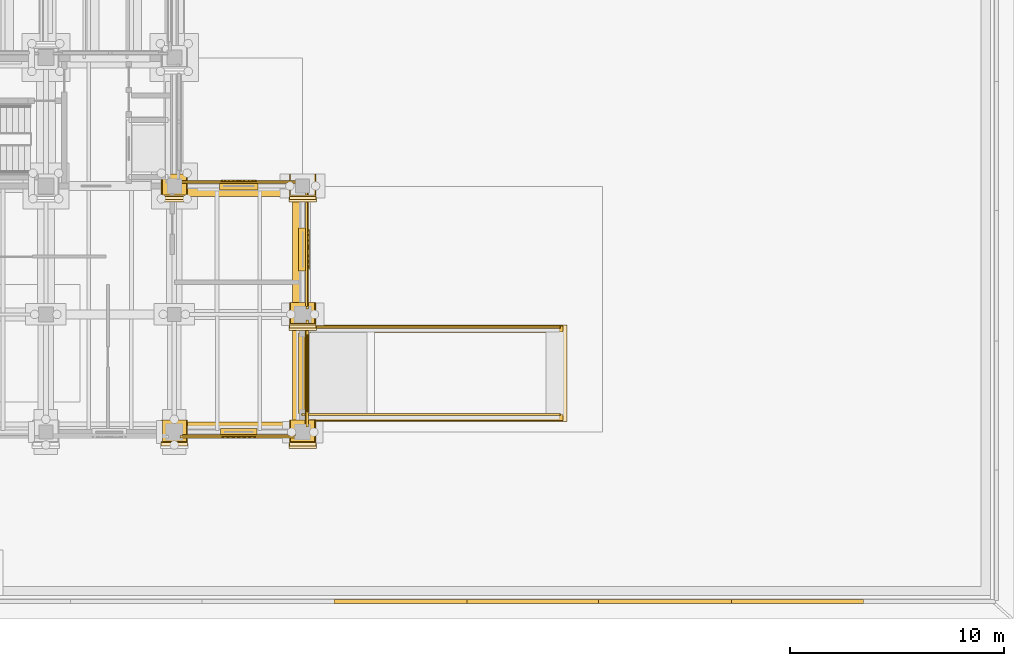
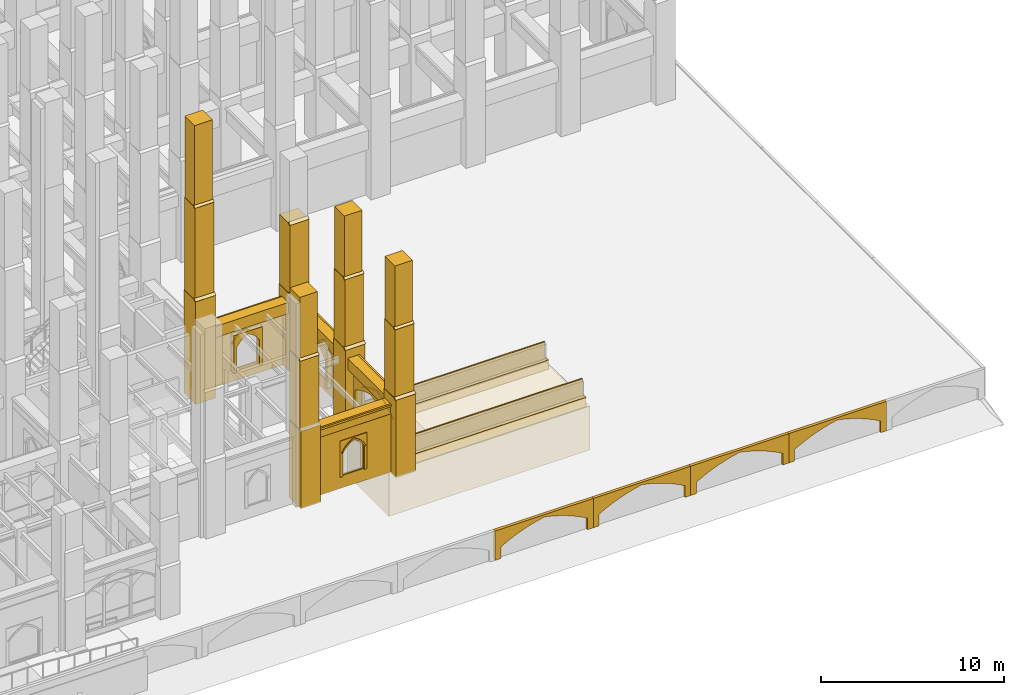
# One storey, part 124 of 135: 52 coverings.
"""IFC4 building model written with IfcOpenShell, lengths in metres."""

import ifcopenshell
import ifcopenshell.guid

model = None  # the IFC model being written
_history = None  # IfcOwnerHistory: only IFC2X3 demands one
_inside = {}  # id of a spatial element -> (the spatial element, [elements in it])
_under = {}  # id of a project, library or spatial element -> (it, [spatial elements below it])
_declared = {}  # id of a project -> (the project, [libraries it declares])
_typed = {}  # id of a type object -> (the type object, [elements of that type])
_made_of = {}  # id of a material, layer set ... -> (it, [elements and type objects made of it])


def new_model(schema):
    """Start an empty IFC model of exactly this schema.

    Asked for "IFC4X3", IfcOpenShell would pick the latest addendum, in which some entities
    have other attributes; the version numbers below select the first issue.
    IFC2X3 requires an IfcOwnerHistory on every rooted entity: one is made here for all.
    """
    global model, _history
    if schema == "IFC4X3":
        model = ifcopenshell.file(schema_version=(4, 3, 0, 0))
    else:
        model = ifcopenshell.file(schema=schema)
    _inside.clear()
    _under.clear()
    _declared.clear()
    _typed.clear()
    _made_of.clear()
    _history = None
    if model.schema == "IFC2X3":
        org = make("IfcOrganization", Name="unknown")
        user = make(
            "IfcPersonAndOrganization",
            ThePerson=make("IfcPerson", FamilyName="unknown"),
            TheOrganization=org,
        )
        app = make(
            "IfcApplication",
            ApplicationDeveloper=org,
            Version="unknown",
            ApplicationFullName="unknown",
            ApplicationIdentifier="unknown",
        )
        _history = make(
            "IfcOwnerHistory",
            OwningUser=user,
            OwningApplication=app,
            ChangeAction="ADDED",
            CreationDate=0,
        )
    return model


def make(cls, **values):
    """One entity of the class cls with the attributes given. An attribute that is None is left unset."""
    return model.create_entity(
        cls, **{name: value for name, value in values.items() if value is not None}
    )


def rooted(cls, **values):
    """An entity with a GlobalId (a new one), such as an element, a storey or a relation."""
    return make(cls, GlobalId=ifcopenshell.guid.new(), OwnerHistory=_history, **values)


def si_unit(unit_type, name, prefix=None):
    """IfcSIUnit, for example si_unit("LENGTHUNIT", "METRE", prefix="MILLI")."""
    return make("IfcSIUnit", UnitType=unit_type, Prefix=prefix, Name=name)


def assignment(units):
    """IfcUnitAssignment: the units of a project."""
    return None if units is None else make("IfcUnitAssignment", Units=units)


def point(xyz):
    """IfcCartesianPoint."""
    return None if xyz is None else make("IfcCartesianPoint", Coordinates=xyz)


def direction(xyz):
    """IfcDirection."""
    return None if xyz is None else make("IfcDirection", DirectionRatios=xyz)


def frame(location, z_axis=None, x_axis=None):
    """IfcAxis2Placement3D, a coordinate frame: its origin and axes. An axis left out is left unset."""
    return make(
        "IfcAxis2Placement3D",
        Location=point(location),
        Axis=direction(z_axis),
        RefDirection=direction(x_axis),
    )


def frame_2d(location, x_axis=None):
    """IfcAxis2Placement2D, a coordinate frame in the plane: its origin and x axis."""
    return make(
        "IfcAxis2Placement2D", Location=point(location), RefDirection=direction(x_axis)
    )


def origin():
    """The frame at (0, 0, 0) with its axes left unset."""
    return frame((0.0, 0.0, 0.0))


def origin_2d():
    """The frame at (0, 0) in the plane with its x axis left unset."""
    return frame_2d((0.0, 0.0))


def place(relative_to, where):
    """IfcLocalPlacement: puts the frame where relative to a parent placement (None: the world)."""
    return make(
        "IfcLocalPlacement", PlacementRelTo=relative_to, RelativePlacement=where
    )


def context(
    kind, dimensions, precision=None, world=None, true_north=None, identifier=None
):
    """IfcGeometricRepresentationContext, for example the 3D "Model" context."""
    return make(
        "IfcGeometricRepresentationContext",
        ContextIdentifier=identifier,
        ContextType=kind,
        CoordinateSpaceDimension=dimensions,
        Precision=precision,
        WorldCoordinateSystem=world,
        TrueNorth=true_north,
    )


def subcontext(parent, identifier, kind, view, scale=None):
    """IfcGeometricRepresentationSubContext, for example "Body" below "Model"."""
    return make(
        "IfcGeometricRepresentationSubContext",
        ContextIdentifier=identifier,
        ContextType=kind,
        ParentContext=parent,
        TargetScale=scale,
        TargetView=view,
    )


def project(units=None, contexts=None):
    """IfcProject with its units and contexts."""
    return rooted(
        "IfcProject",
        Name="project",
        RepresentationContexts=contexts,
        UnitsInContext=assignment(units),
    )


def spatial(cls, under=None, at=None, **own):
    """A site, building, storey or space (cls), placed at a placement, below another one or the project."""
    s = rooted(cls, ObjectPlacement=at, **own)
    if under is not None:
        _under.setdefault(under.id(), (under, []))[1].append(s)
    return s


def polyline(points):
    """IfcPolyline through the points."""
    return make("IfcPolyline", Points=[point(p) for p in points])


def profile(cls, at=None, kind="AREA", **sizes):
    """A parametric profile (cls). Its sizes go by their IFC names, for example OverallWidth=200.0."""
    return make(cls, ProfileType=kind, Position=at, **sizes)


def rectangle(**sizes):
    """IfcRectangleProfileDef."""
    return profile("IfcRectangleProfileDef", **sizes)


def outline(outer, holes=None, kind="AREA"):
    """IfcArbitraryClosedProfileDef: a profile drawn as a closed curve; with holes, ...WithVoids."""
    if holes is None:
        return make("IfcArbitraryClosedProfileDef", ProfileType=kind, OuterCurve=outer)
    return make(
        "IfcArbitraryProfileDefWithVoids",
        ProfileType=kind,
        OuterCurve=outer,
        InnerCurves=holes,
    )


def extrude(swept, where, along, depth):
    """IfcExtrudedAreaSolid: the profile swept, set in the frame where, extruded along a direction by depth."""
    return make(
        "IfcExtrudedAreaSolid",
        SweptArea=swept,
        Position=where,
        ExtrudedDirection=direction(along),
        Depth=depth,
    )


def shape(context_of_items, identifier, shape_type, items):
    """IfcShapeRepresentation: the items that make up one representation, for example the "Body"."""
    return make(
        "IfcShapeRepresentation",
        ContextOfItems=context_of_items,
        RepresentationIdentifier=identifier,
        RepresentationType=shape_type,
        Items=items,
    )


def material(Name=None, Category=None):
    """IfcMaterial."""
    return make("IfcMaterial", Name=Name, Category=Category)


def made_of(thing, what):
    """Note that an element or type object is made of a material, layer set ...; save() writes the relation."""
    if what is not None:
        _made_of.setdefault(what.id(), (what, []))[1].append(thing)
    return thing


def type_object(cls, material=None, **own):
    """A type object (cls), such as IfcWallType, which elements share."""
    return made_of(rooted(cls, **own), material)


def element(
    cls,
    number,
    at=None,
    inside=None,
    cuts=None,
    type_object=None,
    material=None,
    context=None,
    identifier="Body",
    shape_type=None,
    held_by="IfcProductDefinitionShape",
    body=None,
    shapes=None,
    **own,
):
    """One element of the class cls, such as IfcWall. Its Tag is "e" and its number.

    at: its placement. inside: the storey or other place that contains it. cuts: it is an
    opening in that element (IfcRelVoidsElement). A single representation is given by context,
    identifier, shape_type and body (its items); several are given by shapes. held_by: the class
    of the entity that holds the representations. save() writes the other relations.
    """
    e = rooted(cls, Tag="e%d" % number, ObjectPlacement=at, **own)
    if body is not None:
        shapes = [shape(context, identifier, shape_type, body)]
    if shapes is not None:
        e.Representation = make(held_by, Representations=shapes)
    if inside is not None:
        _inside.setdefault(inside.id(), (inside, []))[1].append(e)
    if cuts is not None:
        rooted(
            "IfcRelVoidsElement", RelatingBuildingElement=cuts, RelatedOpeningElement=e
        )
    if type_object is not None:
        _typed.setdefault(type_object.id(), (type_object, []))[1].append(e)
    return made_of(e, material)


def aggregate(whole, parts):
    """IfcRelAggregates: a whole, such as a stair, and the parts it consists of."""
    return rooted("IfcRelAggregates", RelatingObject=whole, RelatedObjects=parts)


def save(model, path):
    """Write the relations noted so far, then the file.

    IfcRelAggregates (storeys below a building ...), IfcRelContainedInSpatialStructure (elements
    in a storey), IfcRelDefinesByType, IfcRelAssociatesMaterial and IfcRelDeclares: one each for
    every whole, place, type object, material and project.
    """
    for whole, parts in _under.values():
        aggregate(whole, parts)
    for where, things in _inside.values():
        rooted(
            "IfcRelContainedInSpatialStructure",
            RelatedElements=things,
            RelatingStructure=where,
        )
    for kind, things in _typed.values():
        rooted("IfcRelDefinesByType", RelatedObjects=things, RelatingType=kind)
    for what, things in _made_of.values():
        rooted("IfcRelAssociatesMaterial", RelatedObjects=things, RelatingMaterial=what)
    for by, libraries in _declared.values():
        rooted("IfcRelDeclares", RelatingContext=by, RelatedDefinitions=libraries)
    model.write(path)


model = new_model("IFC4")

# Units and contexts
model_context = context("Model", 3, precision=1e-05, world=origin(), true_north=direction((0.0, 1.0)))
body_context = subcontext(model_context, "Body", "Model", "MODEL_VIEW")
ifc_project = project(units=[si_unit("LENGTHUNIT", "METRE"), si_unit("AREAUNIT", "SQUARE_METRE"), si_unit("VOLUMEUNIT", "CUBIC_METRE"), si_unit("PLANEANGLEUNIT", "RADIAN"), si_unit("MASSUNIT", "GRAM", prefix="KILO")], contexts=[model_context])

# Site, building, storey
site_placement = place(None, origin())
site = spatial("IfcSite", under=ifc_project, at=site_placement, CompositionType="ELEMENT")
building_placement = place(site_placement, origin())
building = spatial("IfcBuilding", under=site, at=building_placement, Name="Cumevento Cable Car Station", CompositionType="ELEMENT")
storey_placement = place(building_placement, origin())
storey = spatial("IfcBuildingStorey", under=building, at=storey_placement, Name="L01", CompositionType="ELEMENT", Elevation=0.0)

# Coverings
ifc_material = material(Name="Gnaisse Facoidal Stone Ashlar 85 MPa", Category="masonry")
covering_type = type_object("IfcCoveringType", Name="Gnaisse Ashlar Cladding CV-CL01", PredefinedType="CLADDING", material=ifc_material)
covering_1_placement = place(storey_placement, frame((130.0, 9.409912109375, -0.06005859375), z_axis=(0.0, 0.0, 1.0), x_axis=(1.0, 0.0, 0.0)))
element("IfcCovering", 1, at=covering_1_placement, inside=storey, type_object=covering_type, Name="Stepped Gothic Stone Buttress Tier 1 bt:130.0:9.5", PredefinedType="CLADDING", context=body_context, shape_type="SweptSolid", body=[
    extrude(rectangle(XDim=1.239990234375, YDim=1.300048828125, at=origin_2d()), origin(), (0.0, 0.0, 1.0), 5.175537109375),
])
covering_2_placement = place(storey_placement, frame((130.0, 9.469970703125, 4.84326171875), z_axis=(0.0, 0.0, 1.0), x_axis=(1.0, 0.0, 0.0)))
element("IfcCovering", 2, at=covering_2_placement, inside=storey, type_object=covering_type, Name="Stepped Gothic Stone Buttress Tier 2 bt:130.0:9.5", PredefinedType="CLADDING", context=body_context, shape_type="SweptSolid", body=[
    extrude(rectangle(XDim=1.179931640625, YDim=1.179931640625, at=origin_2d()), origin(), (0.0, 0.0, 1.0), 4.9033203125),
])
covering_3_placement = place(storey_placement, frame((129.389892578125, 8.860107421875, 9.726318359375), z_axis=(0.0, -0.714474823669, 0.699661151089), x_axis=(1.0, 0.0, 0.0)))
element("IfcCovering", 3, at=covering_3_placement, inside=storey, type_object=covering_type, Name="Gothic Buttress Sloped Stone Weathering 2 bt:130.0:9.5", PredefinedType="CLADDING", context=body_context, shape_type="SweptSolid", body=[
    extrude(outline(polyline([(0.0, 0.0), (1.22021484375, 0.0), (1.22021484375, 0.21424991728737655), (0.0, 0.21424991728737655), (0.0, 0.0)])), origin(), (0.0, 0.0, -1.0), 0.090087890625),
])
covering_4_placement = place(storey_placement, frame((130.0, 9.52001953125, 9.47412109375), z_axis=(0.0, 0.0, 1.0), x_axis=(1.0, 0.0, 0.0)))
element("IfcCovering", 4, at=covering_4_placement, inside=storey, type_object=covering_type, Name="Stepped Gothic Stone Buttress Tier 3 bt:130.0:9.5", PredefinedType="CLADDING", context=body_context, shape_type="SweptSolid", body=[
    extrude(rectangle(XDim=1.1201171875, YDim=1.080078125, at=origin_2d()), origin(), (0.0, 0.0, 1.0), 4.426025390625),
])
covering_5_placement = place(storey_placement, frame((130.0, 20.909912109375, -0.06005859375), z_axis=(0.0, 0.0, 1.0), x_axis=(1.0, 0.0, 0.0)))
element("IfcCovering", 5, at=covering_5_placement, inside=storey, type_object=covering_type, Name="Stepped Gothic Stone Buttress Tier 1 bt:130.0:21.0", PredefinedType="CLADDING", context=body_context, shape_type="SweptSolid", body=[
    extrude(rectangle(XDim=1.239990234375, YDim=1.300048828125, at=origin_2d()), origin(), (0.0, 0.0, 1.0), 6.885498046875),
])
covering_6_placement = place(storey_placement, frame((129.360107421875, 20.239990234375, 6.8056640625), z_axis=(0.0, -0.711135781079, 0.703054692658), x_axis=(1.0, 0.0, 0.0)))
element("IfcCovering", 6, at=covering_6_placement, inside=storey, type_object=covering_type, Name="Gothic Buttress Sloped Stone Weathering 1 bt:130.0:21.0", PredefinedType="CLADDING", context=body_context, shape_type="SweptSolid", body=[
    extrude(outline(polyline([(0.0, 0.0), (1.27978515625, 0.0), (1.27978515625, 0.24169083397703695), (0.0, 0.24169083397703695), (0.0, 0.0)])), origin(), (0.0, 0.0, -1.0), 0.090087890625),
])
covering_7_placement = place(storey_placement, frame((130.0, 20.969970703125, 6.46337890625), z_axis=(0.0, 0.0, 1.0), x_axis=(1.0, 0.0, 0.0)))
element("IfcCovering", 7, at=covering_7_placement, inside=storey, type_object=covering_type, Name="Stepped Gothic Stone Buttress Tier 2 bt:130.0:21.0", PredefinedType="CLADDING", context=body_context, shape_type="SweptSolid", body=[
    extrude(rectangle(XDim=1.179931640625, YDim=1.179931640625, at=origin_2d()), origin(), (0.0, 0.0, 1.0), 6.523193359375),
])
covering_8_placement = place(storey_placement, frame((129.389892578125, 20.360107421875, 12.96630859375), z_axis=(0.0, -0.714474823669, 0.699661151089), x_axis=(1.0, 0.0, 0.0)))
element("IfcCovering", 8, at=covering_8_placement, inside=storey, type_object=covering_type, Name="Gothic Buttress Sloped Stone Weathering 2 bt:130.0:21.0", PredefinedType="CLADDING", context=body_context, shape_type="SweptSolid", body=[
    extrude(outline(polyline([(0.0, 0.0), (1.22021484375, 0.0), (1.22021484375, 0.21424991728737655), (0.0, 0.21424991728737655), (0.0, 0.0)])), origin(), (0.0, 0.0, -1.0), 0.090087890625),
])
covering_9_placement = place(storey_placement, frame((130.0, 21.02001953125, 12.6240234375), z_axis=(0.0, 0.0, 1.0), x_axis=(1.0, 0.0, 0.0)))
element("IfcCovering", 9, at=covering_9_placement, inside=storey, type_object=covering_type, Name="Stepped Gothic Stone Buttress Tier 3 bt:130.0:21.0", PredefinedType="CLADDING", context=body_context, shape_type="SweptSolid", body=[
    extrude(rectangle(XDim=1.1201171875, YDim=1.080078125, at=origin_2d()), origin(), (0.0, 0.0, 1.0), 5.77587890625),
])
covering_10_placement = place(storey_placement, frame((136.0, 9.409912109375, -0.06005859375), z_axis=(0.0, 0.0, 1.0), x_axis=(1.0, 0.0, 0.0)))
element("IfcCovering", 10, at=covering_10_placement, inside=storey, type_object=covering_type, Name="Stepped Gothic Stone Buttress Tier 1 bt:136.0:9.5", PredefinedType="CLADDING", context=body_context, shape_type="SweptSolid", body=[
    extrude(rectangle(XDim=1.239990234375, YDim=1.300048828125, at=origin_2d()), origin(), (0.0, 0.0, 1.0), 5.175537109375),
])
covering_11_placement = place(storey_placement, frame((135.360107421875, 8.739990234375, 5.095703125), z_axis=(0.0, -0.711135781079, 0.703054692658), x_axis=(1.0, 0.0, 0.0)))
element("IfcCovering", 11, at=covering_11_placement, inside=storey, type_object=covering_type, Name="Gothic Buttress Sloped Stone Weathering 1 bt:136.0:9.5", PredefinedType="CLADDING", context=body_context, shape_type="SweptSolid", body=[
    extrude(outline(polyline([(0.0, 0.0), (1.27978515625, 0.0), (1.27978515625, 0.24169083397703695), (0.0, 0.24169083397703695), (0.0, 0.0)])), origin(), (0.0, 0.0, -1.0), 0.090087890625),
])
covering_12_placement = place(storey_placement, frame((136.0, 9.469970703125, 4.84326171875), z_axis=(0.0, 0.0, 1.0), x_axis=(1.0, 0.0, 0.0)))
element("IfcCovering", 12, at=covering_12_placement, inside=storey, type_object=covering_type, Name="Stepped Gothic Stone Buttress Tier 2 bt:136.0:9.5", PredefinedType="CLADDING", context=body_context, shape_type="SweptSolid", body=[
    extrude(rectangle(XDim=1.179931640625, YDim=1.179931640625, at=origin_2d()), origin(), (0.0, 0.0, 1.0), 4.9033203125),
])
covering_13_placement = place(storey_placement, frame((135.389892578125, 8.860107421875, 9.726318359375), z_axis=(0.0, -0.714474823669, 0.699661151089), x_axis=(1.0, 0.0, 0.0)))
element("IfcCovering", 13, at=covering_13_placement, inside=storey, type_object=covering_type, Name="Gothic Buttress Sloped Stone Weathering 2 bt:136.0:9.5", PredefinedType="CLADDING", context=body_context, shape_type="SweptSolid", body=[
    extrude(outline(polyline([(0.0, 0.0), (1.22021484375, 0.0), (1.22021484375, 0.21424991728737655), (0.0, 0.21424991728737655), (0.0, 0.0)])), origin(), (0.0, 0.0, -1.0), 0.090087890625),
])
covering_14_placement = place(storey_placement, frame((136.0, 9.52001953125, 9.47412109375), z_axis=(0.0, 0.0, 1.0), x_axis=(1.0, 0.0, 0.0)))
element("IfcCovering", 14, at=covering_14_placement, inside=storey, type_object=covering_type, Name="Stepped Gothic Stone Buttress Tier 3 bt:136.0:9.5", PredefinedType="CLADDING", context=body_context, shape_type="SweptSolid", body=[
    extrude(rectangle(XDim=1.1201171875, YDim=1.080078125, at=origin_2d()), origin(), (0.0, 0.0, 1.0), 4.426025390625),
])
covering_15_placement = place(storey_placement, frame((136.0, 14.909912109375, -0.06005859375), z_axis=(0.0, 0.0, 1.0), x_axis=(1.0, 0.0, 0.0)))
element("IfcCovering", 15, at=covering_15_placement, inside=storey, type_object=covering_type, Name="Stepped Gothic Stone Buttress Tier 1 bt:136.0:15.0", PredefinedType="CLADDING", context=body_context, shape_type="SweptSolid", body=[
    extrude(rectangle(XDim=1.239990234375, YDim=1.300048828125, at=origin_2d()), origin(), (0.0, 0.0, 1.0), 5.175537109375),
])
covering_16_placement = place(storey_placement, frame((135.360107421875, 14.239990234375, 5.095703125), z_axis=(0.0, -0.711135781079, 0.703054692658), x_axis=(1.0, 0.0, 0.0)))
element("IfcCovering", 16, at=covering_16_placement, inside=storey, type_object=covering_type, Name="Gothic Buttress Sloped Stone Weathering 1 bt:136.0:15.0", PredefinedType="CLADDING", context=body_context, shape_type="SweptSolid", body=[
    extrude(outline(polyline([(0.0, 0.0), (1.27978515625, 0.0), (1.27978515625, 0.24169083397703695), (0.0, 0.24169083397703695), (0.0, 0.0)])), origin(), (0.0, 0.0, -1.0), 0.090087890625),
])
covering_17_placement = place(storey_placement, frame((136.0, 14.969970703125, 4.84326171875), z_axis=(0.0, 0.0, 1.0), x_axis=(1.0, 0.0, 0.0)))
element("IfcCovering", 17, at=covering_17_placement, inside=storey, type_object=covering_type, Name="Stepped Gothic Stone Buttress Tier 2 bt:136.0:15.0", PredefinedType="CLADDING", context=body_context, shape_type="SweptSolid", body=[
    extrude(rectangle(XDim=1.179931640625, YDim=1.179931640625, at=origin_2d()), origin(), (0.0, 0.0, 1.0), 4.9033203125),
])
covering_18_placement = place(storey_placement, frame((135.389892578125, 14.360107421875, 9.726318359375), z_axis=(0.0, -0.714474823669, 0.699661151089), x_axis=(1.0, 0.0, 0.0)))
element("IfcCovering", 18, at=covering_18_placement, inside=storey, type_object=covering_type, Name="Gothic Buttress Sloped Stone Weathering 2 bt:136.0:15.0", PredefinedType="CLADDING", context=body_context, shape_type="SweptSolid", body=[
    extrude(outline(polyline([(0.0, 0.0), (1.22021484375, 0.0), (1.22021484375, 0.21424991728737655), (0.0, 0.21424991728737655), (0.0, 0.0)])), origin(), (0.0, 0.0, -1.0), 0.090087890625),
])
covering_19_placement = place(storey_placement, frame((136.0, 15.02001953125, 9.47412109375), z_axis=(0.0, 0.0, 1.0), x_axis=(1.0, 0.0, 0.0)))
element("IfcCovering", 19, at=covering_19_placement, inside=storey, type_object=covering_type, Name="Stepped Gothic Stone Buttress Tier 3 bt:136.0:15.0", PredefinedType="CLADDING", context=body_context, shape_type="SweptSolid", body=[
    extrude(rectangle(XDim=1.1201171875, YDim=1.080078125, at=origin_2d()), origin(), (0.0, 0.0, 1.0), 4.426025390625),
])
covering_20_placement = place(storey_placement, frame((136.0, 20.909912109375, -0.06005859375), z_axis=(0.0, 0.0, 1.0), x_axis=(1.0, 0.0, 0.0)))
element("IfcCovering", 20, at=covering_20_placement, inside=storey, type_object=covering_type, Name="Stepped Gothic Stone Buttress Tier 1 bt:136.0:21.0", PredefinedType="CLADDING", context=body_context, shape_type="SweptSolid", body=[
    extrude(rectangle(XDim=1.239990234375, YDim=1.300048828125, at=origin_2d()), origin(), (0.0, 0.0, 1.0), 5.175537109375),
])
covering_21_placement = place(storey_placement, frame((135.360107421875, 20.239990234375, 5.095703125), z_axis=(0.0, -0.711135781079, 0.703054692658), x_axis=(1.0, 0.0, 0.0)))
element("IfcCovering", 21, at=covering_21_placement, inside=storey, type_object=covering_type, Name="Gothic Buttress Sloped Stone Weathering 1 bt:136.0:21.0", PredefinedType="CLADDING", context=body_context, shape_type="SweptSolid", body=[
    extrude(outline(polyline([(0.0, 0.0), (1.27978515625, 0.0), (1.27978515625, 0.24169083397703695), (0.0, 0.24169083397703695), (0.0, 0.0)])), origin(), (0.0, 0.0, -1.0), 0.090087890625),
])
covering_22_placement = place(storey_placement, frame((136.0, 20.969970703125, 4.84326171875), z_axis=(0.0, 0.0, 1.0), x_axis=(1.0, 0.0, 0.0)))
element("IfcCovering", 22, at=covering_22_placement, inside=storey, type_object=covering_type, Name="Stepped Gothic Stone Buttress Tier 2 bt:136.0:21.0", PredefinedType="CLADDING", context=body_context, shape_type="SweptSolid", body=[
    extrude(rectangle(XDim=1.179931640625, YDim=1.179931640625, at=origin_2d()), origin(), (0.0, 0.0, 1.0), 4.9033203125),
])
covering_23_placement = place(storey_placement, frame((135.389892578125, 20.360107421875, 9.726318359375), z_axis=(0.0, -0.714474823669, 0.699661151089), x_axis=(1.0, 0.0, 0.0)))
element("IfcCovering", 23, at=covering_23_placement, inside=storey, type_object=covering_type, Name="Gothic Buttress Sloped Stone Weathering 2 bt:136.0:21.0", PredefinedType="CLADDING", context=body_context, shape_type="SweptSolid", body=[
    extrude(outline(polyline([(0.0, 0.0), (1.22021484375, 0.0), (1.22021484375, 0.21424991728737655), (0.0, 0.21424991728737655), (0.0, 0.0)])), origin(), (0.0, 0.0, -1.0), 0.090087890625),
])
covering_24_placement = place(storey_placement, frame((133.012451171875, 9.64990234375, 3.760986328125), z_axis=(0.0, 0.0, 1.0), x_axis=(-1.0, 0.0, 0.0)))
element("IfcCovering", 24, at=covering_24_placement, inside=storey, type_object=covering_type, Name="Gothic Stone Spandrel Stringcourse sc:0176", PredefinedType="CLADDING", context=body_context, shape_type="SweptSolid", body=[
    extrude(rectangle(XDim=5.465087890625, YDim=0.659912109375, at=origin_2d()), origin(), (0.0, 0.0, 1.0), 0.7470703125),
])
covering_25_placement = place(storey_placement, frame((133.012451171875, 9.29248046875, 4.378173828125), z_axis=(0.0, 0.0, 1.0), x_axis=(-1.0, 0.0, 0.0)))
element("IfcCovering", 25, at=covering_25_placement, inside=storey, type_object=covering_type, Name="Gothic Cornice Dripstone Lip sc:0176", PredefinedType="CLADDING", context=body_context, shape_type="SweptSolid", body=[
    extrude(rectangle(XDim=5.5048828125, YDim=0.114990234375, at=origin_2d()), origin(), (0.0, 0.0, 1.0), 0.1298828125),
])
covering_26_placement = place(storey_placement, frame((133.012451171875, 20.85009765625, 3.7490234375), z_axis=(0.0, 0.0, 1.0), x_axis=(1.0, 0.0, 0.0)))
element("IfcCovering", 26, at=covering_26_placement, inside=storey, type_object=covering_type, Name="Gothic Stone Spandrel Stringcourse sc:0177", PredefinedType="CLADDING", context=body_context, shape_type="SweptSolid", body=[
    extrude(rectangle(XDim=5.56494140625, YDim=0.659912109375, at=origin_2d()), origin(), (0.0, 0.0, 1.0), 0.7470703125),
])
covering_27_placement = place(storey_placement, frame((133.012451171875, 21.20751953125, 4.365966796875), z_axis=(0.0, 0.0, 1.0), x_axis=(1.0, 0.0, 0.0)))
element("IfcCovering", 27, at=covering_27_placement, inside=storey, type_object=covering_type, Name="Gothic Cornice Dripstone Lip sc:0177", PredefinedType="CLADDING", context=body_context, shape_type="SweptSolid", body=[
    extrude(rectangle(XDim=5.60498046875, YDim=0.114990234375, at=origin_2d()), origin(), (0.0, 0.0, 1.0), 0.1298828125),
])
covering_28_placement = place(storey_placement, frame((135.85009765625, 12.237548828125, 3.760986328125), z_axis=(0.0, 0.0, 1.0), x_axis=(0.0, -1.0, 0.0)))
element("IfcCovering", 28, at=covering_28_placement, inside=storey, type_object=covering_type, Name="Gothic Stone Spandrel Stringcourse sc:0179", PredefinedType="CLADDING", context=body_context, shape_type="SweptSolid", body=[
    extrude(rectangle(XDim=4.965087890625, YDim=0.659912109375, at=origin_2d()), origin(), (0.0, 0.0, 1.0), 0.7470703125),
])
covering_29_placement = place(storey_placement, frame((136.20751953125, 12.237548828125, 4.378173828125), z_axis=(0.0, 0.0, 1.0), x_axis=(0.0, -1.0, 0.0)))
element("IfcCovering", 29, at=covering_29_placement, inside=storey, type_object=covering_type, Name="Gothic Cornice Dripstone Lip sc:0179", PredefinedType="CLADDING", context=body_context, shape_type="SweptSolid", body=[
    extrude(rectangle(XDim=5.0048828125, YDim=0.114990234375, at=origin_2d()), origin(), (0.0, 0.0, 1.0), 0.1298828125),
])
covering_30_placement = place(storey_placement, frame((135.85009765625, 18.03759765625, 3.760986328125), z_axis=(0.0, 0.0, 1.0), x_axis=(0.0, -1.0, 0.0)))
element("IfcCovering", 30, at=covering_30_placement, inside=storey, type_object=covering_type, Name="Gothic Stone Spandrel Stringcourse sc:0180", PredefinedType="CLADDING", context=body_context, shape_type="SweptSolid", body=[
    extrude(rectangle(XDim=5.514892578125, YDim=0.659912109375, at=origin_2d()), origin(), (0.0, 0.0, 1.0), 0.7470703125),
])
covering_31_placement = place(storey_placement, frame((136.20751953125, 18.03759765625, 4.378173828125), z_axis=(0.0, 0.0, 1.0), x_axis=(0.0, -1.0, 0.0)))
element("IfcCovering", 31, at=covering_31_placement, inside=storey, type_object=covering_type, Name="Gothic Cornice Dripstone Lip sc:0180", PredefinedType="CLADDING", context=body_context, shape_type="SweptSolid", body=[
    extrude(rectangle(XDim=5.554931640625, YDim=0.114990234375, at=origin_2d()), origin(), (0.0, 0.0, 1.0), 0.1298828125),
])
covering_32_placement = place(storey_placement, frame((135.625, 9.5, 0.0), z_axis=(0.0, 0.0, 1.0), x_axis=(-1.0, 0.0, 0.0)))
element("IfcCovering", 32, at=covering_32_placement, inside=storey, type_object=covering_type, Name="Exterior Gnaisse Stone Wall Ashlar #158", PredefinedType="CLADDING", context=body_context, shape_type="SweptSolid", body=[
    extrude(outline(polyline([(-0.0400390625, -0.02001953125), (5.264892578125, -0.02001953125), (5.264892578125, 3.841064453125), (-0.0400390625, 3.841064453125), (-0.0400390625, -0.02001953125)]), holes=[polyline([(1.947509765625, 0.81005859375), (3.277587890625, 0.81005859375), (3.277587890625, 2.93994140625), (1.947509765625, 2.93994140625), (1.947509765625, 0.81005859375)])]), frame((0.0, 0.18505859375, 0.0), z_axis=(0.0, -1.0, 0.0), x_axis=(1.0, 0.0, 0.0)), (0.0, 0.0, 1.0), 0.0849609375),
])
covering_33_placement = place(storey_placement, frame((133.827392578125, 9.5, 0.75), z_axis=(0.0, 0.0, 1.0), x_axis=(-1.0, 0.0, 0.0)))
element("IfcCovering", 33, at=covering_33_placement, inside=storey, type_object=covering_type, Name="Gothic Ogival Pointed-Arch Stone Spandrel op_ogival:0158:1", PredefinedType="CLADDING", context=body_context, shape_type="SweptSolid", body=[
    extrude(outline(polyline([(-0.0400390625, 0.0), (-0.0400390625, 2.419921875), (1.669921875, 2.419921875), (1.669921875, 0.0), (1.489990234375, 0.0), (1.489990234375, 1.597900390625), (1.423583984375, 1.71630859375), (1.345703125, 1.82763671875), (1.257080078125, 1.930419921875), (1.15869140625, 2.0244140625), (1.051513671875, 2.107421875), (0.9365234375, 2.179443359375), (0.81494140625, 2.239990234375), (0.693359375, 2.179443359375), (0.578369140625, 2.107421875), (0.47119140625, 2.0244140625), (0.372802734375, 1.930419921875), (0.2841796875, 1.82763671875), (0.206298828125, 1.71630859375), (0.139892578125, 1.597900390625), (0.139892578125, 0.0), (-0.0400390625, 0.0)])), frame((0.0, 0.222900390625, 0.0), z_axis=(0.0, -1.0, 0.0), x_axis=(1.0, 0.0, 0.0)), (0.0, 0.0, 1.0), 0.39990234375),
])
covering_34_placement = place(storey_placement, frame((133.827392578125, 9.5, 2.347900390625), z_axis=(0.0, 0.0, 1.0), x_axis=(-1.0, 0.0, 0.0)))
element("IfcCovering", 34, at=covering_34_placement, inside=storey, type_object=covering_type, Name="Gothic Pointed Archivolt Hood Moulding op_ogival:0158:1", PredefinedType="CLADDING", context=body_context, shape_type="SweptSolid", body=[
    extrude(outline(polyline([(0.139892578125, 0.0), (0.206298828125, 0.118408203125), (0.2841796875, 0.229736328125), (0.372802734375, 0.33251953125), (0.47119140625, 0.42626953125), (0.578369140625, 0.509521484375), (0.693359375, 0.58154296875), (0.81494140625, 0.64208984375), (0.9365234375, 0.58154296875), (1.051513671875, 0.509521484375), (1.15869140625, 0.42626953125), (1.257080078125, 0.33251953125), (1.345703125, 0.229736328125), (1.423583984375, 0.118408203125), (1.489990234375, 0.0), (1.589111328125, 0.0), (1.51513671875, 0.140625), (1.42724609375, 0.27294921875), (1.326416015625, 0.395751953125), (1.21337890625, 0.507568359375), (1.089599609375, 0.607177734375), (0.956298828125, 0.693359375), (0.81494140625, 0.765869140625), (0.673583984375, 0.693359375), (0.540283203125, 0.607177734375), (0.41650390625, 0.507568359375), (0.303466796875, 0.395751953125), (0.20263671875, 0.27294921875), (0.11474609375, 0.140625), (0.041015625, 0.0), (0.139892578125, 0.0)])), frame((0.0, 0.264892578125, 0.0), z_axis=(0.0, -1.0, 0.0), x_axis=(1.0, 0.0, 0.0)), (0.0, 0.0, 1.0), 0.06689453125),
])
covering_35_placement = place(storey_placement, frame((130.35009765625, 21.0, 0.0), z_axis=(0.0, 0.0, 1.0), x_axis=(1.0, 0.0, 0.0)))
element("IfcCovering", 35, at=covering_35_placement, inside=storey, type_object=covering_type, Name="Exterior Gnaisse Stone Wall Ashlar #159", PredefinedType="CLADDING", context=body_context, shape_type="SweptSolid", body=[
    extrude(outline(polyline([(-0.0400390625, -0.02001953125), (5.364990234375, -0.02001953125), (5.364990234375, 3.8291015625), (-0.0400390625, 3.8291015625), (-0.0400390625, -0.02001953125)]), holes=[polyline([(1.947509765625, 0.760009765625), (3.37744140625, 0.760009765625), (3.37744140625, 2.989990234375), (1.947509765625, 2.989990234375), (1.947509765625, 0.760009765625)])]), frame((0.0, 0.1923828125, 0.0), z_axis=(0.0, -1.0, 0.0), x_axis=(1.0, 0.0, 0.0)), (0.0, 0.0, 1.0), 0.0849609375),
])
covering_36_placement = place(storey_placement, frame((132.1474609375, 21.0, 0.699951171875), z_axis=(0.0, 0.0, 1.0), x_axis=(1.0, 0.0, 0.0)))
element("IfcCovering", 36, at=covering_36_placement, inside=storey, type_object=covering_type, Name="Gothic Ogival Pointed-Arch Stone Spandrel op_ogival:0159:1", PredefinedType="CLADDING", context=body_context, shape_type="SweptSolid", body=[
    extrude(outline(polyline([(-0.0400390625, 0.0), (-0.0400390625, 2.52001953125), (1.77001953125, 2.52001953125), (1.77001953125, 0.0), (1.590087890625, 0.0), (1.590087890625, 1.669921875), (1.517333984375, 1.7939453125), (1.4326171875, 1.91015625), (1.337158203125, 2.017578125), (1.2314453125, 2.115234375), (1.116943359375, 2.201904296875), (0.994384765625, 2.277099609375), (0.864990234375, 2.33984375), (0.735595703125, 2.277099609375), (0.613037109375, 2.201904296875), (0.49853515625, 2.115234375), (0.392822265625, 2.017578125), (0.29736328125, 1.91015625), (0.212646484375, 1.7939453125), (0.139892578125, 1.669921875), (0.139892578125, 0.0), (-0.0400390625, 0.0)])), frame((0.0, 0.23046875, 0.0), z_axis=(0.0, -1.0, 0.0), x_axis=(1.0, 0.0, 0.0)), (0.0, 0.0, 1.0), 0.4150390625),
])
covering_37_placement = place(storey_placement, frame((132.1474609375, 21.0, 2.3701171875), z_axis=(0.0, 0.0, 1.0), x_axis=(1.0, 0.0, 0.0)))
element("IfcCovering", 37, at=covering_37_placement, inside=storey, type_object=covering_type, Name="Gothic Pointed Archivolt Hood Moulding op_ogival:0159:1", PredefinedType="CLADDING", context=body_context, shape_type="SweptSolid", body=[
    extrude(outline(polyline([(0.139892578125, 0.0), (0.212646484375, 0.1240234375), (0.29736328125, 0.240234375), (0.392822265625, 0.34765625), (0.49853515625, 0.4453125), (0.613037109375, 0.531982421875), (0.735595703125, 0.607177734375), (0.864990234375, 0.669921875), (0.994384765625, 0.607177734375), (1.116943359375, 0.531982421875), (1.2314453125, 0.4453125), (1.337158203125, 0.34765625), (1.4326171875, 0.240234375), (1.517333984375, 0.1240234375), (1.590087890625, 0.0), (1.68896484375, 0.0), (1.608642578125, 0.146240234375), (1.51416015625, 0.28369140625), (1.40625, 0.410888671875), (1.2861328125, 0.526611328125), (1.155029296875, 0.629638671875), (1.01416015625, 0.718994140625), (0.864990234375, 0.793701171875), (0.7158203125, 0.718994140625), (0.574951171875, 0.629638671875), (0.44384765625, 0.526611328125), (0.32373046875, 0.410888671875), (0.2158203125, 0.28369140625), (0.121337890625, 0.146240234375), (0.041015625, 0.0), (0.139892578125, 0.0)])), frame((0.0, 0.2724609375, 0.0), z_axis=(0.0, -1.0, 0.0), x_axis=(1.0, 0.0, 0.0)), (0.0, 0.0, 1.0), 0.06689453125),
])
covering_38_placement = place(storey_placement, frame((136.0, 14.60009765625, 0.0), z_axis=(0.0, 0.0, 1.0), x_axis=(0.0, -1.0, 0.0)))
element("IfcCovering", 38, at=covering_38_placement, inside=storey, type_object=covering_type, Name="Exterior Gnaisse Stone Wall Ashlar #160", PredefinedType="CLADDING", context=body_context, shape_type="SweptSolid", body=[
    extrude(outline(polyline([(-0.0400390625, -0.02001953125), (4.764892578125, -0.02001953125), (4.764892578125, 3.841064453125), (-0.0400390625, 3.841064453125), (-0.0400390625, -0.02001953125)]), holes=[polyline([(0.659912109375, 0.02001953125), (4.0400390625, 0.02001953125), (4.0400390625, 3.139892578125), (0.659912109375, 3.139892578125), (0.659912109375, 0.02001953125)])]), frame((0.0, 0.199951171875, 0.0), z_axis=(0.0, -1.0, 0.0), x_axis=(1.0, 0.0, 0.0)), (0.0, 0.0, 1.0), 0.0849609375),
])
covering_39_placement = place(storey_placement, frame((136.0, 14.090087890625, -0.050048828125), z_axis=(0.0, 0.0, 1.0), x_axis=(0.0, -1.0, 0.0)))
element("IfcCovering", 39, at=covering_39_placement, inside=storey, type_object=covering_type, Name="Gothic Ogival Pointed-Arch Stone Spandrel op_ogival:0160:1", PredefinedType="CLADDING", context=body_context, shape_type="SweptSolid", body=[
    extrude(outline(polyline([(-0.0400390625, 0.0), (-0.0400390625, 3.419921875), (3.719970703125, 3.419921875), (3.719970703125, 0.0), (3.5400390625, 0.0), (3.5400390625, 2.52001953125), (3.31494140625, 2.66064453125), (3.0830078125, 2.7890625), (2.8447265625, 2.9052734375), (2.600341796875, 3.0087890625), (2.35107421875, 3.09912109375), (2.097412109375, 3.17626953125), (1.840087890625, 3.239990234375), (1.58251953125, 3.17626953125), (1.328857421875, 3.09912109375), (1.07958984375, 3.0087890625), (0.835205078125, 2.9052734375), (0.596923828125, 2.7890625), (0.364990234375, 2.66064453125), (0.139892578125, 2.52001953125), (0.139892578125, 0.0), (-0.0400390625, 0.0)])), frame((0.0, 0.238037109375, 0.0), z_axis=(0.0, -1.0, 0.0), x_axis=(1.0, 0.0, 0.0)), (0.0, 0.0, 1.0), 0.429931640625),
])
covering_40_placement = place(storey_placement, frame((136.0, 14.090087890625, 2.469970703125), z_axis=(0.0, 0.0, 1.0), x_axis=(0.0, -1.0, 0.0)))
element("IfcCovering", 40, at=covering_40_placement, inside=storey, type_object=covering_type, Name="Gothic Pointed Archivolt Hood Moulding op_ogival:0160:1", PredefinedType="CLADDING", context=body_context, shape_type="SweptSolid", body=[
    extrude(outline(polyline([(0.139892578125, 0.0), (0.364990234375, 0.140625), (0.596923828125, 0.26904296875), (0.835205078125, 0.38525390625), (1.07958984375, 0.48876953125), (1.328857421875, 0.5791015625), (1.58251953125, 0.65625), (1.840087890625, 0.719970703125), (2.097412109375, 0.65625), (2.35107421875, 0.5791015625), (2.600341796875, 0.48876953125), (2.8447265625, 0.38525390625), (3.0830078125, 0.26904296875), (3.31494140625, 0.140625), (3.5400390625, 0.0), (3.638916015625, 0.0), (3.405029296875, 0.1640625), (3.161865234375, 0.314453125), (2.91064453125, 0.450439453125), (2.65185546875, 0.57177734375), (2.38671875, 0.677978515625), (2.11572265625, 0.768798828125), (1.840087890625, 0.84375), (1.564208984375, 0.768798828125), (1.293212890625, 0.677978515625), (1.028076171875, 0.57177734375), (0.769287109375, 0.450439453125), (0.51806640625, 0.314453125), (0.27490234375, 0.1640625), (0.041015625, 0.0), (0.139892578125, 0.0)])), frame((0.0, 0.280029296875, 0.0), z_axis=(0.0, -1.0, 0.0), x_axis=(1.0, 0.0, 0.0)), (0.0, 0.0, 1.0), 0.06689453125),
])
covering_41_placement = place(storey_placement, frame((136.0, 20.675048828125, 0.0), z_axis=(0.0, 0.0, 1.0), x_axis=(0.0, -1.0, 0.0)))
element("IfcCovering", 41, at=covering_41_placement, inside=storey, type_object=covering_type, Name="Exterior Gnaisse Stone Wall Ashlar #162", PredefinedType="CLADDING", context=body_context, shape_type="SweptSolid", body=[
    extrude(outline(polyline([(-0.0400390625, -0.02001953125), (5.31494140625, -0.02001953125), (5.31494140625, 3.841064453125), (-0.0400390625, 3.841064453125), (-0.0400390625, -0.02001953125)]), holes=[polyline([(1.822509765625, 0.760009765625), (3.452392578125, 0.760009765625), (3.452392578125, 3.0400390625), (1.822509765625, 3.0400390625), (1.822509765625, 0.760009765625)])]), frame((0.0, 0.215087890625, 0.0), z_axis=(0.0, -1.0, 0.0), x_axis=(1.0, 0.0, 0.0)), (0.0, 0.0, 1.0), 0.0849609375),
])
covering_42_placement = place(storey_placement, frame((136.0, 19.00244140625, 0.699951171875), z_axis=(0.0, 0.0, 1.0), x_axis=(0.0, -1.0, 0.0)))
element("IfcCovering", 42, at=covering_42_placement, inside=storey, type_object=covering_type, Name="Gothic Ogival Pointed-Arch Stone Spandrel op_ogival:0162:1", PredefinedType="CLADDING", context=body_context, shape_type="SweptSolid", body=[
    extrude(outline(polyline([(-0.0400390625, 0.0), (-0.0400390625, 2.570068359375), (1.969970703125, 2.570068359375), (1.969970703125, 0.0), (1.7900390625, 0.0), (1.7900390625, 1.7060546875), (1.701416015625, 1.833984375), (1.6015625, 1.953369140625), (1.4912109375, 2.063232421875), (1.371337890625, 2.16259765625), (1.242919921875, 2.250732421875), (1.107177734375, 2.32666015625), (0.965087890625, 2.39013671875), (0.82275390625, 2.32666015625), (0.68701171875, 2.250732421875), (0.55859375, 2.16259765625), (0.438720703125, 2.063232421875), (0.328369140625, 1.953369140625), (0.228515625, 1.833984375), (0.139892578125, 1.7060546875), (0.139892578125, 0.0), (-0.0400390625, 0.0)])), frame((0.0, 0.2529296875, 0.0), z_axis=(0.0, -1.0, 0.0), x_axis=(1.0, 0.0, 0.0)), (0.0, 0.0, 1.0), 0.4599609375),
])
covering_43_placement = place(storey_placement, frame((136.0, 19.00244140625, 2.406005859375), z_axis=(0.0, 0.0, 1.0), x_axis=(0.0, -1.0, 0.0)))
element("IfcCovering", 43, at=covering_43_placement, inside=storey, type_object=covering_type, Name="Gothic Pointed Archivolt Hood Moulding op_ogival:0162:1", PredefinedType="CLADDING", context=body_context, shape_type="SweptSolid", body=[
    extrude(outline(polyline([(0.139892578125, 0.0), (0.228515625, 0.1279296875), (0.328369140625, 0.247314453125), (0.438720703125, 0.357177734375), (0.55859375, 0.45654296875), (0.68701171875, 0.544677734375), (0.82275390625, 0.62060546875), (0.965087890625, 0.68408203125), (1.107177734375, 0.62060546875), (1.242919921875, 0.544677734375), (1.371337890625, 0.45654296875), (1.4912109375, 0.357177734375), (1.6015625, 0.247314453125), (1.701416015625, 0.1279296875), (1.7900390625, 0.0), (1.888916015625, 0.0), (1.792724609375, 0.150390625), (1.682861328125, 0.291015625), (1.56005859375, 0.420654296875), (1.42578125, 0.5380859375), (1.28076171875, 0.642333984375), (1.126708984375, 0.732421875), (0.965087890625, 0.807861328125), (0.80322265625, 0.732421875), (0.649169921875, 0.642333984375), (0.504150390625, 0.5380859375), (0.369873046875, 0.420654296875), (0.2470703125, 0.291015625), (0.13720703125, 0.150390625), (0.041015625, 0.0), (0.139892578125, 0.0)])), frame((0.0, 0.294921875, 0.0), z_axis=(0.0, -1.0, 0.0), x_axis=(1.0, 0.0, 0.0)), (0.0, 0.0, 1.0), 0.06689453125),
])
for number, where, z_axis, x_axis, name in (
    (44, (136.0, 10.2099609375, 0.0), (0.0, 0.0, 1.0), (1.0, 0.0, 0.0), "Exterior Gnaisse Stone Wall Ashlar #322"),
    (45, (136.0, 14.2900390625, 0.0), (0.0, 0.0, 1.0), (1.0, 0.0, 0.0), "Exterior Gnaisse Stone Wall Ashlar #323"),
):
    element("IfcCovering", number, at=place(storey_placement, frame(where, z_axis=z_axis, x_axis=x_axis)), inside=storey, type_object=covering_type, Name=name, PredefinedType="CLADDING", context=body_context, shape_type="SweptSolid", body=[
        extrude(outline(polyline([(-0.0400390625, -0.02001953125), (12.0400390625, -0.02001953125), (12.0400390625, 1.169921875), (-0.0400390625, 1.169921875), (-0.0400390625, -0.02001953125)])), frame((0.0, 0.159912109375, 0.0), z_axis=(0.0, -1.0, 0.0), x_axis=(1.0, 0.0, 0.0)), (0.0, 0.0, 1.0), 0.0849609375),
    ])
for number, where, z_axis, x_axis, name in (
    (46, (143.65380859375, 1.64990234375, -1.919921875), (0.0, 0.0, 1.0), (-1.0, 0.0, 0.0), "Gothic Ogival Pointed-Arch Stone Spandrel cumevento_plinth:plinth_arch:S:22"),
    (47, (149.827880859375, 1.64990234375, -1.919921875), (0.0, 0.0, 1.0), (-1.0, 0.0, 0.0), "Gothic Ogival Pointed-Arch Stone Spandrel cumevento_plinth:plinth_arch:S:23"),
    (48, (156.001953125, 1.64990234375, -1.919921875), (0.0, 0.0, 1.0), (-1.0, 0.0, 0.0), "Gothic Ogival Pointed-Arch Stone Spandrel cumevento_plinth:plinth_arch:S:24"),
    (49, (162.176025390625, 1.64990234375, -1.919921875), (0.0, 0.0, 1.0), (-1.0, 0.0, 0.0), "Gothic Ogival Pointed-Arch Stone Spandrel cumevento_plinth:plinth_arch:S:25"),
):
    element("IfcCovering", number, at=place(storey_placement, frame(where, z_axis=z_axis, x_axis=x_axis)), inside=storey, type_object=covering_type, Name=name, PredefinedType="CLADDING", context=body_context, shape_type="SweptSolid", body=[
        extrude(outline(polyline([(-0.02001953125, 0.0), (-0.02001953125, 1.9599609375), (6.194091796875, 1.9599609375), (6.194091796875, 0.0), (5.81396484375, 0.0), (5.81396484375, 0.77001953125), (5.3857421875, 1.00390625), (4.945068359375, 1.213623046875), (4.493408203125, 1.3984375), (4.0322265625, 1.558349609375), (3.56298828125, 1.692138671875), (3.087158203125, 1.800048828125), (2.611083984375, 1.692138671875), (2.141845703125, 1.558349609375), (1.6806640625, 1.3984375), (1.22900390625, 1.213623046875), (0.788330078125, 1.00390625), (0.360107421875, 0.77001953125), (0.360107421875, 0.0), (-0.02001953125, 0.0)])), frame((0.0, 0.14990234375, 0.0), z_axis=(0.0, -1.0, 0.0), x_axis=(1.0, 0.0, 0.0)), (0.0, 0.0, 1.0), 0.179931640625),
    ])
covering_44_placement = place(storey_placement, frame((0.0, 0.0, -3.52001953125)))
element("IfcCovering", 50, at=covering_44_placement, inside=storey, type_object=covering_type, Name="Ramp Sub-Base Stone Bed (136.0,10.3)", PredefinedType="CLADDING", context=body_context, shape_type="SweptSolid", body=[
    extrude(outline(polyline([(148.35009765625, 10.0), (148.35009765625, 14.5), (135.64990234375, 14.5), (135.64990234375, 10.0), (148.35009765625, 10.0)])), origin(), (0.0, 0.0, 1.0), 2.93994140625),
])
for number, where, z_axis, x_axis, name in (
    (51, (142.0, 10.18994140625, -0.60009765625), (0.0, 0.0, 1.0), (1.0, 0.0, 0.0), "Ramp Stone Cheek Wall (136.0,10.2)"),
    (52, (142.0, 14.31005859375, -0.60009765625), (0.0, 0.0, 1.0), (1.0, 0.0, 0.0), "Ramp Stone Cheek Wall (136.0,14.3)"),
):
    element("IfcCovering", number, at=place(storey_placement, frame(where, z_axis=z_axis, x_axis=x_axis)), inside=storey, type_object=covering_type, Name=name, PredefinedType="CLADDING", context=body_context, shape_type="SweptSolid", body=[
        extrude(rectangle(XDim=12.300048828125, YDim=0.280029296875, at=origin_2d()), origin(), (0.0, 0.0, 1.0), 0.639892578125),
    ])

save(model, "model.ifc")
